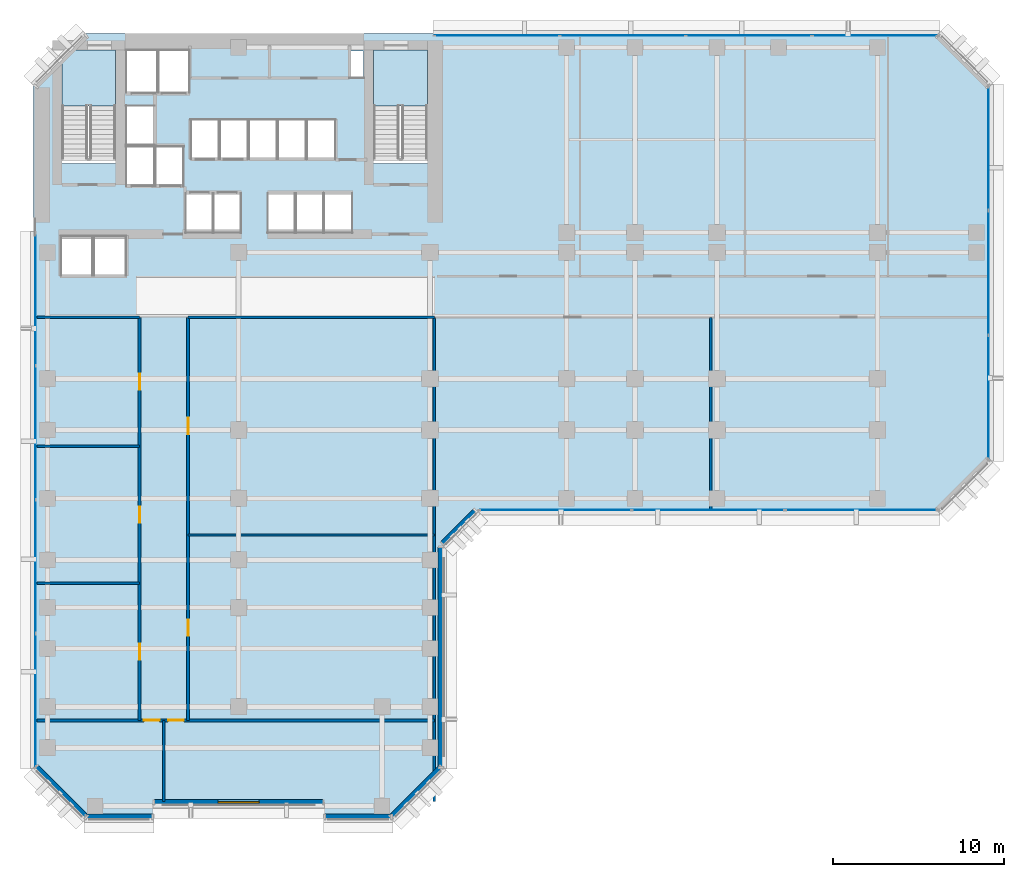
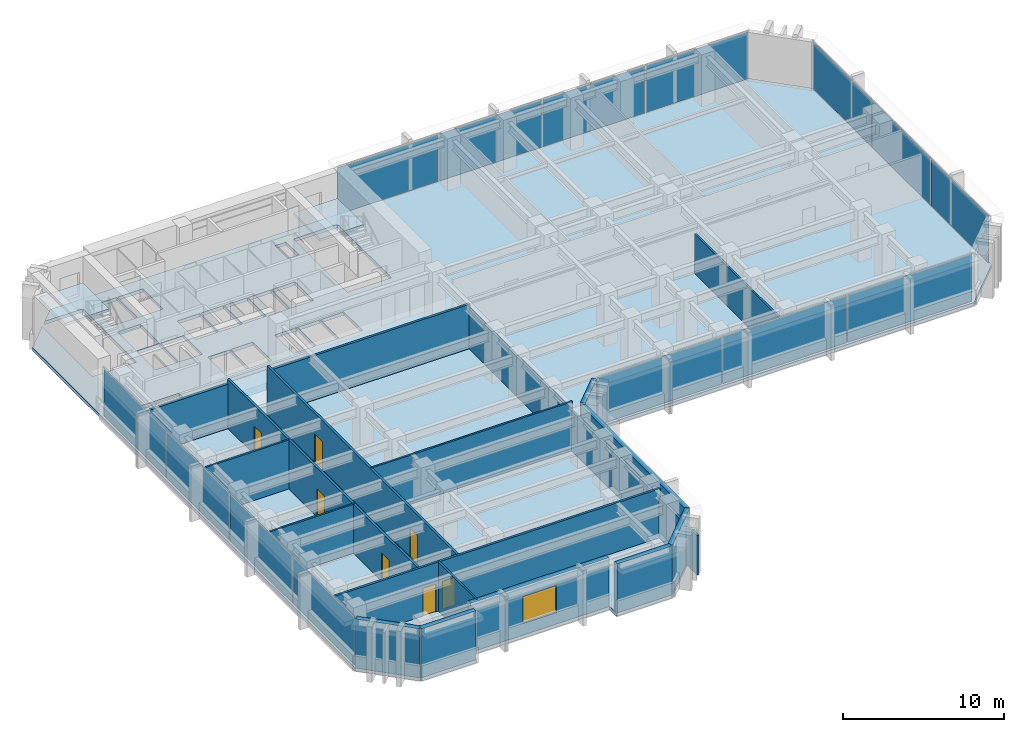
# One storey, part 6 of 13: 18 walls, 14 plates, 7 doors, 3 slabs, 1 window, 8 openings, 6 elements without a shape of their own.
"""IFC4 building model written with IfcOpenShell, lengths in metres."""

import ifcopenshell
import ifcopenshell.guid

model = None  # the IFC model being written
_history = None  # IfcOwnerHistory: only IFC2X3 demands one
_inside = {}  # id of a spatial element -> (the spatial element, [elements in it])
_under = {}  # id of a project, library or spatial element -> (it, [spatial elements below it])
_declared = {}  # id of a project -> (the project, [libraries it declares])
_typed = {}  # id of a type object -> (the type object, [elements of that type])
_made_of = {}  # id of a material, layer set ... -> (it, [elements and type objects made of it])


def new_model(schema):
    """Start an empty IFC model of exactly this schema.

    Asked for "IFC4X3", IfcOpenShell would pick the latest addendum, in which some entities
    have other attributes; the version numbers below select the first issue.
    IFC2X3 requires an IfcOwnerHistory on every rooted entity: one is made here for all.
    """
    global model, _history
    if schema == "IFC4X3":
        model = ifcopenshell.file(schema_version=(4, 3, 0, 0))
    else:
        model = ifcopenshell.file(schema=schema)
    _inside.clear()
    _under.clear()
    _declared.clear()
    _typed.clear()
    _made_of.clear()
    _history = None
    if model.schema == "IFC2X3":
        org = make("IfcOrganization", Name="unknown")
        user = make(
            "IfcPersonAndOrganization",
            ThePerson=make("IfcPerson", FamilyName="unknown"),
            TheOrganization=org,
        )
        app = make(
            "IfcApplication",
            ApplicationDeveloper=org,
            Version="unknown",
            ApplicationFullName="unknown",
            ApplicationIdentifier="unknown",
        )
        _history = make(
            "IfcOwnerHistory",
            OwningUser=user,
            OwningApplication=app,
            ChangeAction="ADDED",
            CreationDate=0,
        )
    return model


def make(cls, **values):
    """One entity of the class cls with the attributes given. An attribute that is None is left unset."""
    return model.create_entity(
        cls, **{name: value for name, value in values.items() if value is not None}
    )


def rooted(cls, **values):
    """An entity with a GlobalId (a new one), such as an element, a storey or a relation."""
    return make(cls, GlobalId=ifcopenshell.guid.new(), OwnerHistory=_history, **values)


def si_unit(unit_type, name, prefix=None):
    """IfcSIUnit, for example si_unit("LENGTHUNIT", "METRE", prefix="MILLI")."""
    return make("IfcSIUnit", UnitType=unit_type, Prefix=prefix, Name=name)


def assignment(units):
    """IfcUnitAssignment: the units of a project."""
    return None if units is None else make("IfcUnitAssignment", Units=units)


def point(xyz):
    """IfcCartesianPoint."""
    return None if xyz is None else make("IfcCartesianPoint", Coordinates=xyz)


def direction(xyz):
    """IfcDirection."""
    return None if xyz is None else make("IfcDirection", DirectionRatios=xyz)


def frame(location, z_axis=None, x_axis=None):
    """IfcAxis2Placement3D, a coordinate frame: its origin and axes. An axis left out is left unset."""
    return make(
        "IfcAxis2Placement3D",
        Location=point(location),
        Axis=direction(z_axis),
        RefDirection=direction(x_axis),
    )


def frame_2d(location, x_axis=None):
    """IfcAxis2Placement2D, a coordinate frame in the plane: its origin and x axis."""
    return make(
        "IfcAxis2Placement2D", Location=point(location), RefDirection=direction(x_axis)
    )


def origin():
    """The frame at (0, 0, 0) with its axes left unset."""
    return frame((0.0, 0.0, 0.0))


def origin_2d():
    """The frame at (0, 0) in the plane with its x axis left unset."""
    return frame_2d((0.0, 0.0))


def place(relative_to, where):
    """IfcLocalPlacement: puts the frame where relative to a parent placement (None: the world)."""
    return make(
        "IfcLocalPlacement", PlacementRelTo=relative_to, RelativePlacement=where
    )


def context(
    kind, dimensions, precision=None, world=None, true_north=None, identifier=None
):
    """IfcGeometricRepresentationContext, for example the 3D "Model" context."""
    return make(
        "IfcGeometricRepresentationContext",
        ContextIdentifier=identifier,
        ContextType=kind,
        CoordinateSpaceDimension=dimensions,
        Precision=precision,
        WorldCoordinateSystem=world,
        TrueNorth=true_north,
    )


def subcontext(parent, identifier, kind, view, scale=None):
    """IfcGeometricRepresentationSubContext, for example "Body" below "Model"."""
    return make(
        "IfcGeometricRepresentationSubContext",
        ContextIdentifier=identifier,
        ContextType=kind,
        ParentContext=parent,
        TargetScale=scale,
        TargetView=view,
    )


def project(units=None, contexts=None):
    """IfcProject with its units and contexts."""
    return rooted(
        "IfcProject",
        Name="project",
        RepresentationContexts=contexts,
        UnitsInContext=assignment(units),
    )


def spatial(cls, under=None, at=None, **own):
    """A site, building, storey or space (cls), placed at a placement, below another one or the project."""
    s = rooted(cls, ObjectPlacement=at, **own)
    if under is not None:
        _under.setdefault(under.id(), (under, []))[1].append(s)
    return s


def polyline(points):
    """IfcPolyline through the points."""
    return make("IfcPolyline", Points=[point(p) for p in points])


def profile(cls, at=None, kind="AREA", **sizes):
    """A parametric profile (cls). Its sizes go by their IFC names, for example OverallWidth=200.0."""
    return make(cls, ProfileType=kind, Position=at, **sizes)


def rectangle(**sizes):
    """IfcRectangleProfileDef."""
    return profile("IfcRectangleProfileDef", **sizes)


def outline(outer, holes=None, kind="AREA"):
    """IfcArbitraryClosedProfileDef: a profile drawn as a closed curve; with holes, ...WithVoids."""
    if holes is None:
        return make("IfcArbitraryClosedProfileDef", ProfileType=kind, OuterCurve=outer)
    return make(
        "IfcArbitraryProfileDefWithVoids",
        ProfileType=kind,
        OuterCurve=outer,
        InnerCurves=holes,
    )


def extrude(swept, where, along, depth):
    """IfcExtrudedAreaSolid: the profile swept, set in the frame where, extruded along a direction by depth."""
    return make(
        "IfcExtrudedAreaSolid",
        SweptArea=swept,
        Position=where,
        ExtrudedDirection=direction(along),
        Depth=depth,
    )


def shape(context_of_items, identifier, shape_type, items):
    """IfcShapeRepresentation: the items that make up one representation, for example the "Body"."""
    return make(
        "IfcShapeRepresentation",
        ContextOfItems=context_of_items,
        RepresentationIdentifier=identifier,
        RepresentationType=shape_type,
        Items=items,
    )


def material(Name=None, Category=None):
    """IfcMaterial."""
    return make("IfcMaterial", Name=Name, Category=Category)


def layer(
    of_material, thickness, ventilated=None, Name=None, Category=None, Priority=None
):
    """IfcMaterialLayer: one layer of a wall or slab, of a material (None: an air gap)."""
    return make(
        "IfcMaterialLayer",
        Material=of_material,
        LayerThickness=thickness,
        IsVentilated=ventilated,
        Name=Name,
        Category=Category,
        Priority=Priority,
    )


def layer_set(layers, Name=None):
    """IfcMaterialLayerSet."""
    return make("IfcMaterialLayerSet", MaterialLayers=layers, LayerSetName=Name)


def made_of(thing, what):
    """Note that an element or type object is made of a material, layer set ...; save() writes the relation."""
    if what is not None:
        _made_of.setdefault(what.id(), (what, []))[1].append(thing)
    return thing


def type_object(cls, material=None, **own):
    """A type object (cls), such as IfcWallType, which elements share."""
    return made_of(rooted(cls, **own), material)


def element(
    cls,
    number,
    at=None,
    inside=None,
    cuts=None,
    type_object=None,
    material=None,
    context=None,
    identifier="Body",
    shape_type=None,
    held_by="IfcProductDefinitionShape",
    body=None,
    shapes=None,
    **own,
):
    """One element of the class cls, such as IfcWall. Its Tag is "e" and its number.

    at: its placement. inside: the storey or other place that contains it. cuts: it is an
    opening in that element (IfcRelVoidsElement). A single representation is given by context,
    identifier, shape_type and body (its items); several are given by shapes. held_by: the class
    of the entity that holds the representations. save() writes the other relations.
    """
    e = rooted(cls, Tag="e%d" % number, ObjectPlacement=at, **own)
    if body is not None:
        shapes = [shape(context, identifier, shape_type, body)]
    if shapes is not None:
        e.Representation = make(held_by, Representations=shapes)
    if inside is not None:
        _inside.setdefault(inside.id(), (inside, []))[1].append(e)
    if cuts is not None:
        rooted(
            "IfcRelVoidsElement", RelatingBuildingElement=cuts, RelatedOpeningElement=e
        )
    if type_object is not None:
        _typed.setdefault(type_object.id(), (type_object, []))[1].append(e)
    return made_of(e, material)


def fill(opening, filler):
    """IfcRelFillsElement: the door or window that sits in an opening."""
    return rooted(
        "IfcRelFillsElement",
        RelatingOpeningElement=opening,
        RelatedBuildingElement=filler,
    )


def aggregate(whole, parts):
    """IfcRelAggregates: a whole, such as a stair, and the parts it consists of."""
    return rooted("IfcRelAggregates", RelatingObject=whole, RelatedObjects=parts)


def save(model, path):
    """Write the relations noted so far, then the file.

    IfcRelAggregates (storeys below a building ...), IfcRelContainedInSpatialStructure (elements
    in a storey), IfcRelDefinesByType, IfcRelAssociatesMaterial and IfcRelDeclares: one each for
    every whole, place, type object, material and project.
    """
    for whole, parts in _under.values():
        aggregate(whole, parts)
    for where, things in _inside.values():
        rooted(
            "IfcRelContainedInSpatialStructure",
            RelatedElements=things,
            RelatingStructure=where,
        )
    for kind, things in _typed.values():
        rooted("IfcRelDefinesByType", RelatedObjects=things, RelatingType=kind)
    for what, things in _made_of.values():
        rooted("IfcRelAssociatesMaterial", RelatedObjects=things, RelatingMaterial=what)
    for by, libraries in _declared.values():
        rooted("IfcRelDeclares", RelatingContext=by, RelatedDefinitions=libraries)
    model.write(path)


model = new_model("IFC4")

# Units and contexts
model_context = context("Model", 3, precision=1e-05, world=origin(), true_north=direction((0.0, 1.0)))
body_context = subcontext(model_context, "Body", "Model", "MODEL_VIEW")
ifc_project = project(units=[si_unit("LENGTHUNIT", "METRE"), si_unit("AREAUNIT", "SQUARE_METRE"), si_unit("VOLUMEUNIT", "CUBIC_METRE"), si_unit("PLANEANGLEUNIT", "RADIAN"), si_unit("MASSUNIT", "GRAM", prefix="KILO")], contexts=[model_context])

# Site, building, storey
site_placement = place(None, origin())
site = spatial("IfcSite", under=ifc_project, at=site_placement, CompositionType="ELEMENT")
building_placement = place(site_placement, origin())
building = spatial("IfcBuilding", under=site, at=building_placement, Name="Kefirva Bronze Tower", CompositionType="ELEMENT")
storey_placement = place(building_placement, frame((0.0, 0.0, 38.280029296875)))
storey = spatial("IfcBuildingStorey", under=building, at=storey_placement, Name="L08", CompositionType="ELEMENT", Elevation=38.280029296875)

# Stair, slab
ifc_material_1 = material(Name="Concrete C40/50", Category="concrete")
stair_type = type_object("IfcStairType", Name="RC Dogleg Protected Stair 24R", PredefinedType="HALF_TURN_STAIR", material=ifc_material_1)
stair_1_placement = place(storey_placement, origin())
stair_1 = element("IfcStair", 1, at=stair_1_placement, inside=storey, type_object=stair_type, Name="L08 Protected Exit Stair 1", PredefinedType="HALF_TURN_STAIR")
ifc_layer_1 = layer(ifc_material_1, 0.199951171875, Name="Concrete C40/50")
ifc_layer_set_1 = layer_set([ifc_layer_1], Name="Concrete C40/50")
slab_type_1 = type_object("IfcSlabType", Name="RC Stair Landing Slab 200mm", PredefinedType="LANDING", material=ifc_layer_set_1)
slab_1_placement = place(storey_placement, frame((0.0, 0.0, 1.780029296875)))
slab_1 = element("IfcSlab", 2, at=slab_1_placement, type_object=slab_type_1, Name="ST-1 landing 1", PredefinedType="LANDING", context=body_context, shape_type="SweptSolid", body=[
    extrude(outline(polyline([(4.800048828125, 41.780029296875), (4.800048828125, 45.050048828125), (1.64990234375, 45.050048828125), (1.64990234375, 41.780029296875), (4.800048828125, 41.780029296875)])), origin(), (0.0, 0.0, 1.0), 0.199951171875),
])
aggregate(stair_1, [slab_1])

stair_2_placement = place(storey_placement, origin())
stair_2 = element("IfcStair", 3, at=stair_2_placement, inside=storey, type_object=stair_type, Name="L08 Protected Exit Stair 2", PredefinedType="HALF_TURN_STAIR")
slab_2_placement = place(storey_placement, frame((0.0, 0.0, 1.780029296875)))
slab_2 = element("IfcSlab", 4, at=slab_2_placement, type_object=slab_type_1, Name="ST-2 landing 1", PredefinedType="LANDING", context=body_context, shape_type="SweptSolid", body=[
    extrude(outline(polyline([(23.050048828125, 41.780029296875), (23.050048828125, 45.050048828125), (19.89990234375, 45.050048828125), (19.89990234375, 41.780029296875), (23.050048828125, 41.780029296875)])), origin(), (0.0, 0.0, 1.0), 0.199951171875),
])
aggregate(stair_2, [slab_2])

# Slab
ifc_layer_2 = layer(ifc_material_1, 0.25, Name="Concrete C40/50")
ifc_layer_set_2 = layer_set([ifc_layer_2], Name="Concrete C40/50")
slab_type_2 = type_object("IfcSlabType", Name="RC Tower Floor Slab 250mm", PredefinedType="FLOOR", material=ifc_layer_set_2)
slab_3_placement = place(storey_placement, frame((0.0, 0.0, -0.25)))
element("IfcSlab", 5, at=slab_3_placement, inside=storey, type_object=slab_type_2, Name="L08 Structural Floor Slab", PredefinedType="FLOOR", context=body_context, shape_type="SweptSolid", body=[
    extrude(outline(polyline([(0.0, 3.0), (0.0, 43.0), (1.64990234375, 44.64990234375), (1.64990234375, 38.39990234375), (4.800048828125, 38.39990234375), (4.800048828125, 45.050048828125), (2.050048828125, 45.050048828125), (3.0, 46.0), (53.0, 46.0), (56.0, 43.0), (56.0, 21.0), (53.0, 18.0), (26.0, 18.0), (24.0, 16.0), (24.0, 3.0), (21.0, 0.0), (17.0, 0.0), (17.0, 0.85009765625), (7.0, 0.85009765625), (7.0, 0.0), (3.0, 0.0), (0.0, 3.0)]), holes=[polyline([(19.89990234375, 38.39990234375), (23.050048828125, 38.39990234375), (23.050048828125, 45.050048828125), (19.89990234375, 45.050048828125), (19.89990234375, 38.39990234375)]), polyline([(18.52001953125, 43.419921875), (19.320068359375, 43.419921875), (19.320068359375, 45.0), (18.52001953125, 45.0), (18.52001953125, 43.419921875)]), polyline([(17.0, 34.35009765625), (18.64990234375, 34.35009765625), (18.64990234375, 36.64990234375), (17.0, 36.64990234375), (17.0, 34.35009765625)]), polyline([(17.64990234375, 38.679931640625), (17.64990234375, 40.97998046875), (16.0, 40.97998046875), (16.0, 38.679931640625), (17.64990234375, 38.679931640625)]), polyline([(16.949951171875, 34.35009765625), (16.949951171875, 36.64990234375), (15.35009765625, 36.64990234375), (15.35009765625, 34.35009765625), (16.949951171875, 34.35009765625)]), polyline([(15.929931640625, 38.679931640625), (15.929931640625, 40.97998046875), (14.300048828125, 40.97998046875), (14.300048828125, 38.679931640625), (15.929931640625, 38.679931640625)]), polyline([(15.300048828125, 34.35009765625), (15.300048828125, 36.64990234375), (13.699951171875, 36.64990234375), (13.699951171875, 34.35009765625), (15.300048828125, 34.35009765625)]), polyline([(14.22998046875, 38.679931640625), (14.22998046875, 40.97998046875), (12.60009765625, 40.97998046875), (12.60009765625, 38.679931640625), (14.22998046875, 38.679931640625)]), polyline([(10.89990234375, 38.679931640625), (12.530029296875, 38.679931640625), (12.530029296875, 40.97998046875), (10.89990234375, 40.97998046875), (10.89990234375, 38.679931640625)]), polyline([(12.139892578125, 34.35009765625), (12.139892578125, 36.64990234375), (10.5400390625, 36.64990234375), (10.5400390625, 34.35009765625), (12.139892578125, 34.35009765625)]), polyline([(10.830078125, 38.679931640625), (10.830078125, 40.97998046875), (9.199951171875, 40.97998046875), (9.199951171875, 38.679931640625), (10.830078125, 38.679931640625)]), polyline([(10.5, 34.35009765625), (10.5, 36.64990234375), (8.89990234375, 36.64990234375), (8.89990234375, 34.35009765625), (10.5, 34.35009765625)]), polyline([(7.300048828125, 42.550048828125), (9.1201171875, 42.550048828125), (9.1201171875, 45.050048828125), (7.300048828125, 45.050048828125), (7.300048828125, 42.550048828125)]), polyline([(7.139892578125, 37.10009765625), (8.780029296875, 37.10009765625), (8.780029296875, 39.39990234375), (7.139892578125, 39.39990234375), (7.139892578125, 37.10009765625)]), polyline([(5.419921875, 42.550048828125), (7.239990234375, 42.550048828125), (7.239990234375, 45.050048828125), (5.419921875, 45.050048828125), (5.419921875, 42.550048828125)]), polyline([(7.06005859375, 39.47998046875), (7.06005859375, 41.780029296875), (5.419921875, 41.780029296875), (5.419921875, 39.47998046875), (7.06005859375, 39.47998046875)]), polyline([(5.419921875, 37.10009765625), (7.06005859375, 37.10009765625), (7.06005859375, 39.39990234375), (5.419921875, 39.39990234375), (5.419921875, 37.10009765625)]), polyline([(5.39990234375, 31.85009765625), (5.39990234375, 34.14990234375), (3.550048828125, 34.14990234375), (3.550048828125, 31.85009765625), (5.39990234375, 31.85009765625)]), polyline([(3.449951171875, 31.85009765625), (3.449951171875, 34.14990234375), (1.60009765625, 34.14990234375), (1.60009765625, 31.85009765625), (3.449951171875, 31.85009765625)])]), origin(), (0.0, 0.0, 1.0), 0.25),
])

# Curtain wall, plates
ifc_material_2 = material(Name="Bronze anodised aluminium", Category="aluminium")
ifc_layer_3 = layer(ifc_material_2, 0.199951171875, Name="Bronze anodised aluminium")
ifc_layer_set_3 = layer_set([ifc_layer_3], Name="Bronze anodised aluminium")
curtain_wall_type = type_object("IfcCurtainWallType", Name="Unitised Bronze Ribbon Curtain Wall Zone 1", PredefinedType="USERDEFINED", material=ifc_layer_set_3)
curtain_wall_1_placement = place(storey_placement, origin())
curtain_wall_1 = element("IfcCurtainWall", 6, at=curtain_wall_1_placement, inside=storey, type_object=curtain_wall_type, Name="L08 Curtain Wall 1", ObjectType="UNITISED CURTAIN WALL", PredefinedType="USERDEFINED")
ifc_material_3 = material(Name="Laminated low-E double glazing", Category="glass")
ifc_layer_4 = layer(ifc_material_3, 0.031982421875, Name="Laminated low-E double glazing")
ifc_layer_set_4 = layer_set([ifc_layer_4], Name="Laminated low-E double glazing")
plate_type = type_object("IfcPlateType", Name="Solar-Control Low-E Vision Panel 32mm", PredefinedType="CURTAIN_PANEL", material=ifc_layer_set_4)
plate_1_placement = place(storey_placement, frame((30.555419921875, 18.1201171875, 0.074951171875), z_axis=(0.0, 0.0, 1.0), x_axis=(1.0, 0.0, 0.0)))
plate_1 = element("IfcPlate", 7, at=plate_1_placement, type_object=plate_type, Name="CW-01 panel 1.1", PredefinedType="CURTAIN_PANEL", context=body_context, shape_type="SweptSolid", body=[
    extrude(rectangle(XDim=8.850830078125, YDim=0.031982421875, at=origin_2d()), origin(), (0.0, 0.0, 1.0), 3.56005859375),
])
plate_2_placement = place(storey_placement, frame((39.5, 18.1201171875, 0.074951171875), z_axis=(0.0, 0.0, 1.0), x_axis=(1.0, 0.0, 0.0)))
plate_2 = element("IfcPlate", 8, at=plate_2_placement, type_object=plate_type, Name="CW-01 panel 2.1", PredefinedType="CURTAIN_PANEL", context=body_context, shape_type="SweptSolid", body=[
    extrude(rectangle(XDim=8.888427734375, YDim=0.031982421875, at=origin_2d()), origin(), (0.0, 0.0, 1.0), 3.56005859375),
])
plate_3_placement = place(storey_placement, frame((48.444580078125, 18.1201171875, 0.074951171875), z_axis=(0.0, 0.0, 1.0), x_axis=(1.0, 0.0, 0.0)))
plate_3 = element("IfcPlate", 9, at=plate_3_placement, type_object=plate_type, Name="CW-01 panel 3.1", PredefinedType="CURTAIN_PANEL", context=body_context, shape_type="SweptSolid", body=[
    extrude(rectangle(XDim=8.850830078125, YDim=0.031982421875, at=origin_2d()), origin(), (0.0, 0.0, 1.0), 3.56005859375),
])
aggregate(curtain_wall_1, [plate_1, plate_2, plate_3])

curtain_wall_2_placement = place(storey_placement, origin())
curtain_wall_2 = element("IfcCurtainWall", 10, at=curtain_wall_2_placement, inside=storey, type_object=curtain_wall_type, Name="L08 Curtain Wall 2", ObjectType="UNITISED CURTAIN WALL", PredefinedType="USERDEFINED")
plate_4_placement = place(storey_placement, frame((55.8798828125, 24.72216796875, 0.074951171875), z_axis=(0.0, 0.0, 1.0), x_axis=(0.0, 1.0, 0.0)))
plate_4 = element("IfcPlate", 11, at=plate_4_placement, type_object=plate_type, Name="CW-01 panel 1.1", PredefinedType="CURTAIN_PANEL", context=body_context, shape_type="SweptSolid", body=[
    extrude(rectangle(XDim=7.18408203125, YDim=0.031982421875, at=origin_2d()), origin(), (0.0, 0.0, 1.0), 3.56005859375),
])
plate_5_placement = place(storey_placement, frame((55.8798828125, 32.0, 0.074951171875), z_axis=(0.0, 0.0, 1.0), x_axis=(0.0, 1.0, 0.0)))
plate_5 = element("IfcPlate", 12, at=plate_5_placement, type_object=plate_type, Name="CW-01 panel 2.1", PredefinedType="CURTAIN_PANEL", context=body_context, shape_type="SweptSolid", body=[
    extrude(rectangle(XDim=7.2216796875, YDim=0.031982421875, at=origin_2d()), origin(), (0.0, 0.0, 1.0), 3.56005859375),
])
plate_6_placement = place(storey_placement, frame((55.8798828125, 39.27783203125, 0.074951171875), z_axis=(0.0, 0.0, 1.0), x_axis=(0.0, 1.0, 0.0)))
plate_6 = element("IfcPlate", 13, at=plate_6_placement, type_object=plate_type, Name="CW-01 panel 3.1", PredefinedType="CURTAIN_PANEL", context=body_context, shape_type="SweptSolid", body=[
    extrude(rectangle(XDim=7.18408203125, YDim=0.031982421875, at=origin_2d()), origin(), (0.0, 0.0, 1.0), 3.56005859375),
])
aggregate(curtain_wall_2, [plate_4, plate_5, plate_6])

curtain_wall_3_placement = place(storey_placement, origin())
curtain_wall_3 = element("IfcCurtainWall", 14, at=curtain_wall_3_placement, inside=storey, type_object=curtain_wall_type, Name="L08 Curtain Wall 3", ObjectType="UNITISED CURTAIN WALL", PredefinedType="USERDEFINED")
plate_7_placement = place(storey_placement, frame((49.233642578125, 45.8798828125, 0.074951171875), z_axis=(0.0, 0.0, 1.0), x_axis=(-1.0, 0.0, 0.0)))
plate_7 = element("IfcPlate", 15, at=plate_7_placement, type_object=plate_type, Name="CW-01 panel 1.1", PredefinedType="CURTAIN_PANEL", context=body_context, shape_type="SweptSolid", body=[
    extrude(rectangle(XDim=7.2724609375, YDim=0.031982421875, at=origin_2d()), origin(), (0.0, 0.0, 1.0), 3.56005859375),
])
plate_8_placement = place(storey_placement, frame((41.867431640625, 45.8798828125, 0.074951171875), z_axis=(0.0, 0.0, 1.0), x_axis=(-1.0, 0.0, 0.0)))
plate_8 = element("IfcPlate", 16, at=plate_8_placement, type_object=plate_type, Name="CW-01 panel 2.1", PredefinedType="CURTAIN_PANEL", context=body_context, shape_type="SweptSolid", body=[
    extrude(rectangle(XDim=7.31005859375, YDim=0.031982421875, at=origin_2d()), origin(), (0.0, 0.0, 1.0), 3.56005859375),
])
plate_9_placement = place(storey_placement, frame((34.482421875, 45.8798828125, 0.074951171875), z_axis=(0.0, 0.0, 1.0), x_axis=(-1.0, 0.0, 0.0)))
plate_9 = element("IfcPlate", 17, at=plate_9_placement, type_object=plate_type, Name="CW-01 panel 3.1", PredefinedType="CURTAIN_PANEL", context=body_context, shape_type="SweptSolid", body=[
    extrude(rectangle(XDim=7.31005859375, YDim=0.031982421875, at=origin_2d()), origin(), (0.0, 0.0, 1.0), 3.56005859375),
])
plate_10_placement = place(storey_placement, frame((27.1162109375, 45.8798828125, 0.074951171875), z_axis=(0.0, 0.0, 1.0), x_axis=(-1.0, 0.0, 0.0)))
plate_10 = element("IfcPlate", 18, at=plate_10_placement, type_object=plate_type, Name="CW-01 panel 4.1", PredefinedType="CURTAIN_PANEL", context=body_context, shape_type="SweptSolid", body=[
    extrude(rectangle(XDim=7.2724609375, YDim=0.031982421875, at=origin_2d()), origin(), (0.0, 0.0, 1.0), 3.56005859375),
])
aggregate(curtain_wall_3, [plate_7, plate_8, plate_9, plate_10])

curtain_wall_4_placement = place(storey_placement, origin())
curtain_wall_4 = element("IfcCurtainWall", 19, at=curtain_wall_4_placement, inside=storey, type_object=curtain_wall_type, Name="L08 Curtain Wall 4", ObjectType="UNITISED CURTAIN WALL", PredefinedType="USERDEFINED")
plate_11_placement = place(storey_placement, frame((0.1201171875, 30.458740234375, 0.074951171875), z_axis=(0.0, 0.0, 1.0), x_axis=(0.0, -1.0, 0.0)))
plate_11 = element("IfcPlate", 20, at=plate_11_placement, type_object=plate_type, Name="CW-01 panel 1.1", PredefinedType="CURTAIN_PANEL", context=body_context, shape_type="SweptSolid", body=[
    extrude(rectangle(XDim=7.722412109375, YDim=0.031982421875, at=origin_2d()), origin(), (0.0, 0.0, 1.0), 3.56005859375),
])
plate_12_placement = place(storey_placement, frame((0.1201171875, 22.642578125, 0.074951171875), z_axis=(0.0, 0.0, 1.0), x_axis=(0.0, -1.0, 0.0)))
plate_12 = element("IfcPlate", 21, at=plate_12_placement, type_object=plate_type, Name="CW-01 panel 2.1", PredefinedType="CURTAIN_PANEL", context=body_context, shape_type="SweptSolid", body=[
    extrude(rectangle(XDim=7.760009765625, YDim=0.031982421875, at=origin_2d()), origin(), (0.0, 0.0, 1.0), 3.56005859375),
])
plate_13_placement = place(storey_placement, frame((0.1201171875, 14.8076171875, 0.074951171875), z_axis=(0.0, 0.0, 1.0), x_axis=(0.0, -1.0, 0.0)))
plate_13 = element("IfcPlate", 22, at=plate_13_placement, type_object=plate_type, Name="CW-01 panel 3.1", PredefinedType="CURTAIN_PANEL", context=body_context, shape_type="SweptSolid", body=[
    extrude(rectangle(XDim=7.760009765625, YDim=0.031982421875, at=origin_2d()), origin(), (0.0, 0.0, 1.0), 3.56005859375),
])
plate_14_placement = place(storey_placement, frame((0.1201171875, 6.9912109375, 0.074951171875), z_axis=(0.0, 0.0, 1.0), x_axis=(0.0, -1.0, 0.0)))
plate_14 = element("IfcPlate", 23, at=plate_14_placement, type_object=plate_type, Name="CW-01 panel 4.1", PredefinedType="CURTAIN_PANEL", context=body_context, shape_type="SweptSolid", body=[
    extrude(rectangle(XDim=7.722412109375, YDim=0.031982421875, at=origin_2d()), origin(), (0.0, 0.0, 1.0), 3.56005859375),
])
aggregate(curtain_wall_4, [plate_11, plate_12, plate_13, plate_14])

# Walls
ifc_material_4 = material(Name="Gypsum acoustic partition")
ifc_layer_5 = layer(ifc_material_4, 0.1298828125, Name="Gypsum acoustic partition")
ifc_layer_set_5 = layer_set([ifc_layer_5], Name="Gypsum acoustic partition")
wall_type_1 = type_object("IfcWallType", Name="Acoustic Office Partition 130mm", PredefinedType="PARTITIONING", material=ifc_layer_set_5)
wall_1_placement = place(storey_placement, frame((7.6201171875, 1.0400390625, 0.0), z_axis=(0.0, 0.0, 1.0), x_axis=(0.0, 1.0, 0.0)))
element("IfcWall", 24, at=wall_1_placement, inside=storey, type_object=wall_type_1, Name="L08 Partition W-L08-CAPDV", PredefinedType="PARTITIONING", context=body_context, shape_type="SweptSolid", body=[
    extrude(rectangle(XDim=4.760009765625, YDim=0.1298828125, at=frame_2d((2.3798828125, 0.0))), origin(), (0.0, 0.0, 1.0), 3.7099609375),
])
for number, where, z_axis, x_axis, name in (
    (25, (0.18994140625, 13.823974609375, 0.0), (0.0, 0.0, 1.0), (1.0, 0.0, 0.0), "L08 Partition W-L08-SWD1"),
    (26, (0.18994140625, 21.847900390625, 0.0), (0.0, 0.0, 1.0), (1.0, 0.0, 0.0), "L08 Partition W-L08-SWD2"),
):
    element("IfcWall", number, at=place(storey_placement, frame(where, z_axis=z_axis, x_axis=x_axis)), inside=storey, type_object=wall_type_1, Name=name, PredefinedType="PARTITIONING", context=body_context, shape_type="SweptSolid", body=[
        extrude(rectangle(XDim=6.010009765625, YDim=0.1298828125, at=frame_2d((3.0048828125, 0.0))), origin(), (0.0, 0.0, 1.0), 3.7099609375),
    ])
wall_2_placement = place(storey_placement, frame((9.0400390625, 16.656005859375, 0.0), z_axis=(0.0, 0.0, 1.0), x_axis=(1.0, 0.0, 0.0)))
element("IfcWall", 27, at=wall_2_placement, inside=storey, type_object=wall_type_1, Name="L08 Partition W-L08-SED1", PredefinedType="PARTITIONING", context=body_context, shape_type="SweptSolid", body=[
    extrude(rectangle(XDim=14.409912109375, YDim=0.1298828125, at=frame_2d((7.205078125, 0.0))), origin(), (0.0, 0.0, 1.0), 3.7099609375),
])
wall_3_placement = place(storey_placement, frame((39.6298828125, 18.18994140625, 0.0), z_axis=(0.0, 0.0, 1.0), x_axis=(0.0, 1.0, 0.0)))
element("IfcWall", 28, at=wall_3_placement, inside=storey, type_object=wall_type_1, Name="L08 Partition W-L08-ESD1", PredefinedType="PARTITIONING", context=body_context, shape_type="SweptSolid", body=[
    extrude(rectangle(XDim=11.2099609375, YDim=0.1298828125, at=frame_2d((5.60498046875, 0.0))), origin(), (0.0, 0.0, 1.0), 2.994873046875),
])
ifc_material_5 = material(Name="Precast concrete C40/50", Category="concrete")
ifc_layer_6 = layer(ifc_material_5, 0.320068359375, Name="Precast concrete C40/50")
ifc_layer_set_6 = layer_set([ifc_layer_6], Name="Precast concrete C40/50")
wall_type_2 = type_object("IfcWallType", Name="Precast Insulated Exterior Wall 320mm", PredefinedType="SOLIDWALL", material=ifc_layer_set_6)
wall_4_placement = place(storey_placement, frame((3.054931640625, 0.159912109375, 0.0), z_axis=(0.0, 0.0, 1.0), x_axis=(1.0, 0.0, 0.0)))
element("IfcWall", 29, at=wall_4_placement, inside=storey, type_object=wall_type_2, Name="L08 Exterior Facade Wall 1", PredefinedType="SOLIDWALL", context=body_context, shape_type="SweptSolid", body=[
    extrude(rectangle(XDim=3.89013671875, YDim=0.320068359375, at=frame_2d((1.945068359375, 0.0))), origin(), (0.0, 0.0, 1.0), 3.7099609375),
])

# Wall, opening, window
wall_5_placement = place(storey_placement, frame((7.054931640625, 1.010009765625, 0.0), z_axis=(0.0, 0.0, 1.0), x_axis=(1.0, 0.0, 0.0)))
wall_5 = element("IfcWall", 30, at=wall_5_placement, inside=storey, type_object=wall_type_2, Name="L08 Exterior Facade Wall 2", PredefinedType="SOLIDWALL", context=body_context, shape_type="SweptSolid", body=[
    extrude(rectangle(XDim=9.89013671875, YDim=0.320068359375, at=frame_2d((4.945068359375, 0.0))), origin(), (0.0, 0.0, 1.0), 3.7099609375),
])
opening_1_placement = place(wall_5_placement, frame((3.7451171875, 0.0, 0.85009765625)))
opening_1 = element("IfcOpeningElement", 31, at=opening_1_placement, cuts=wall_5, Name="Opening WN-01", PredefinedType="OPENING", context=body_context, shape_type="SweptSolid", body=[
    extrude(rectangle(XDim=2.39990234375, YDim=2.050048828125, at=frame_2d((1.199951171875, 1.02490234375))), frame((0.0, 0.169921875, 0.0), z_axis=(0.0, -1.0, 0.0), x_axis=(1.0, 0.0, 0.0)), (0.0, 0.0, 1.0), 0.340087890625),
])
window_type = type_object("IfcWindowType", Name="Streamline Ribbon Window 2400x2050", PartitioningType="SINGLE_PANEL", PredefinedType="WINDOW", material=ifc_material_3)
window_placement = place(opening_1_placement, origin())
window = element("IfcWindow", 32, at=window_placement, inside=storey, type_object=window_type, Name="L08 Ribbon Window 2", OverallHeight=2.050048828125, OverallWidth=2.39990234375, PartitioningType="SINGLE_PANEL", PredefinedType="WINDOW", context=body_context, shape_type="SweptSolid", body=[
    extrude(rectangle(XDim=2.39990234375, YDim=2.050048828125, at=frame_2d((1.199951171875, 1.02490234375))), frame((0.0, 0.030029296875, 0.0), z_axis=(0.0, -1.0, 0.0), x_axis=(1.0, 0.0, 0.0)), (0.0, 0.0, 1.0), 0.06005859375),
])
fill(opening_1, window)

# Walls
wall_6_placement = place(storey_placement, frame((17.054931640625, 0.159912109375, 0.0), z_axis=(0.0, 0.0, 1.0), x_axis=(1.0, 0.0, 0.0)))
element("IfcWall", 33, at=wall_6_placement, inside=storey, type_object=wall_type_2, Name="L08 Exterior Facade Wall 3", PredefinedType="SOLIDWALL", context=body_context, shape_type="SweptSolid", body=[
    extrude(rectangle(XDim=3.89013671875, YDim=0.320068359375, at=frame_2d((1.945068359375, 0.0))), origin(), (0.0, 0.0, 1.0), 3.7099609375),
])
wall_7_placement = place(storey_placement, frame((20.92578125, 0.152099609375, 0.0), z_axis=(0.0, 0.0, 1.0), x_axis=(0.707106781187, 0.707106781187, 0.0)))
element("IfcWall", 34, at=wall_7_placement, inside=storey, type_object=wall_type_2, Name="L08 Exterior Facade Wall 4", PredefinedType="SOLIDWALL", context=body_context, shape_type="SweptSolid", body=[
    extrude(rectangle(XDim=4.132568359375, YDim=0.320068359375, at=frame_2d((2.06640625, 0.0))), origin(), (0.0, 0.0, 1.0), 3.7099609375),
])
wall_8_placement = place(storey_placement, frame((23.840087890625, 3.054931640625, 0.0), z_axis=(0.0, 0.0, 1.0), x_axis=(0.0, 1.0, 0.0)))
element("IfcWall", 35, at=wall_8_placement, inside=storey, type_object=wall_type_2, Name="L08 Exterior Facade Wall 5", PredefinedType="SOLIDWALL", context=body_context, shape_type="SweptSolid", body=[
    extrude(rectangle(XDim=12.89013671875, YDim=0.320068359375, at=frame_2d((6.445068359375, 0.0))), origin(), (0.0, 0.0, 1.0), 3.7099609375),
])
wall_9_placement = place(storey_placement, frame((23.92578125, 16.152099609375, 0.0), z_axis=(0.0, 0.0, 1.0), x_axis=(0.707106781187, 0.707106781187, 0.0)))
element("IfcWall", 36, at=wall_9_placement, inside=storey, type_object=wall_type_2, Name="L08 Exterior Facade Wall 6", PredefinedType="SOLIDWALL", context=body_context, shape_type="SweptSolid", body=[
    extrude(rectangle(XDim=2.71826171875, YDim=0.320068359375, at=frame_2d((1.359130859375, 0.0))), origin(), (0.0, 0.0, 1.0), 3.7099609375),
])
wall_10_placement = place(storey_placement, frame((0.152099609375, 3.07421875, 0.0), z_axis=(0.0, 0.0, 1.0), x_axis=(0.707106781187, -0.707106781187, 0.0)))
element("IfcWall", 37, at=wall_10_placement, inside=storey, type_object=wall_type_2, Name="L08 Exterior Facade Wall 10", PredefinedType="SOLIDWALL", context=body_context, shape_type="SweptSolid", body=[
    extrude(rectangle(XDim=4.132568359375, YDim=0.320068359375, at=frame_2d((2.06640625, 0.0))), origin(), (0.0, 0.0, 1.0), 3.7099609375),
])

# Wall, openings, doors
ifc_layer_7 = layer(ifc_material_4, 0.159912109375, Name="Gypsum acoustic partition")
ifc_layer_set_7 = layer_set([ifc_layer_7], Name="Gypsum acoustic partition")
wall_type_3 = type_object("IfcWallType", Name="Protected Corridor Partition 160mm", PredefinedType="PARTITIONING", material=ifc_layer_set_7)
wall_11_placement = place(storey_placement, frame((6.199951171875, 5.800048828125, 0.0), z_axis=(0.0, 0.0, 1.0), x_axis=(0.0, 1.0, 0.0)))
wall_11 = element("IfcWall", 38, at=wall_11_placement, inside=storey, type_object=wall_type_3, Name="L08 Partition W-L08-SWCORW", PredefinedType="PARTITIONING", context=body_context, shape_type="SweptSolid", body=[
    extrude(rectangle(XDim=23.599853515625, YDim=0.159912109375, at=frame_2d((11.7998046875, 0.0))), origin(), (0.0, 0.0, 1.0), 3.7099609375),
])
opening_2_placement = place(wall_11_placement, frame((4.487060546875, 0.0, 0.0), z_axis=(0.0, 0.0, 1.0), x_axis=(-1.0, 0.0, 0.0)))
opening_2 = element("IfcOpeningElement", 39, at=opening_2_placement, cuts=wall_11, Name="Opening L08-D-SW1", PredefinedType="OPENING", context=body_context, shape_type="SweptSolid", body=[
    extrude(rectangle(XDim=0.949951171875, YDim=2.14990234375, at=frame_2d((0.47509765625, 1.074951171875))), frame((0.0, 0.08984375, 0.0), z_axis=(0.0, -1.0, 0.0), x_axis=(1.0, 0.0, 0.0)), (0.0, 0.0, 1.0), 0.179931640625),
])
opening_3_placement = place(wall_11_placement, frame((12.510986328125, 0.0, 0.0), z_axis=(0.0, 0.0, 1.0), x_axis=(-1.0, 0.0, 0.0)))
opening_3 = element("IfcOpeningElement", 40, at=opening_3_placement, cuts=wall_11, Name="Opening L08-D-SW2", PredefinedType="OPENING", context=body_context, shape_type="SweptSolid", body=[
    extrude(rectangle(XDim=0.949951171875, YDim=2.14990234375, at=frame_2d((0.47509765625, 1.074951171875))), frame((0.0, 0.08984375, 0.0), z_axis=(0.0, -1.0, 0.0), x_axis=(1.0, 0.0, 0.0)), (0.0, 0.0, 1.0), 0.179931640625),
])
opening_4_placement = place(wall_11_placement, frame((20.299072265625, 0.0, 0.0), z_axis=(0.0, 0.0, 1.0), x_axis=(-1.0, 0.0, 0.0)))
opening_4 = element("IfcOpeningElement", 41, at=opening_4_placement, cuts=wall_11, Name="Opening L08-D-SW3", PredefinedType="OPENING", context=body_context, shape_type="SweptSolid", body=[
    extrude(rectangle(XDim=0.949951171875, YDim=2.14990234375, at=frame_2d((0.47509765625, 1.074951171875))), frame((0.0, 0.08984375, 0.0), z_axis=(0.0, -1.0, 0.0), x_axis=(1.0, 0.0, 0.0)), (0.0, 0.0, 1.0), 0.179931640625),
])
ifc_material_6 = material(Name="Acoustic hardwood oak", Category="wood")
door_type_1 = type_object("IfcDoorType", Name="Office & Meeting Room Door 950x2150", OperationType="NOTDEFINED", PredefinedType="DOOR", material=ifc_material_6)
door_1_placement = place(opening_2_placement, origin())
door_1 = element("IfcDoor", 42, at=door_1_placement, inside=storey, type_object=door_type_1, Name="Door L08-D-SW1", OperationType="SINGLE_SWING_LEFT", OverallHeight=2.14990234375, OverallWidth=0.949951171875, PredefinedType="DOOR", context=body_context, shape_type="SweptSolid", body=[
    extrude(rectangle(XDim=0.949951171875, YDim=2.14990234375, at=frame_2d((0.47509765625, 1.074951171875))), frame((0.0, 0.02490234375, 0.0), z_axis=(0.0, -1.0, 0.0), x_axis=(1.0, 0.0, 0.0)), (0.0, 0.0, 1.0), 0.050048828125),
])
fill(opening_2, door_1)
door_2_placement = place(opening_3_placement, origin())
door_2 = element("IfcDoor", 43, at=door_2_placement, inside=storey, type_object=door_type_1, Name="Door L08-D-SW2", OperationType="SINGLE_SWING_RIGHT", OverallHeight=2.14990234375, OverallWidth=0.949951171875, PredefinedType="DOOR", context=body_context, shape_type="SweptSolid", body=[
    extrude(rectangle(XDim=0.949951171875, YDim=2.14990234375, at=frame_2d((0.47509765625, 1.074951171875))), frame((0.0, 0.02490234375, 0.0), z_axis=(0.0, -1.0, 0.0), x_axis=(1.0, 0.0, 0.0)), (0.0, 0.0, 1.0), 0.050048828125),
])
fill(opening_3, door_2)
door_3_placement = place(opening_4_placement, origin())
door_3 = element("IfcDoor", 44, at=door_3_placement, inside=storey, type_object=door_type_1, Name="Door L08-D-SW3", OperationType="SINGLE_SWING_LEFT", OverallHeight=2.14990234375, OverallWidth=0.949951171875, PredefinedType="DOOR", context=body_context, shape_type="SweptSolid", body=[
    extrude(rectangle(XDim=0.949951171875, YDim=2.14990234375, at=frame_2d((0.47509765625, 1.074951171875))), frame((0.0, 0.02490234375, 0.0), z_axis=(0.0, -1.0, 0.0), x_axis=(1.0, 0.0, 0.0)), (0.0, 0.0, 1.0), 0.050048828125),
])
fill(opening_4, door_3)

wall_12_placement = place(storey_placement, frame((9.0400390625, 5.800048828125, 0.0), z_axis=(0.0, 0.0, 1.0), x_axis=(0.0, 1.0, 0.0)))
wall_12 = element("IfcWall", 45, at=wall_12_placement, inside=storey, type_object=wall_type_3, Name="L08 Partition W-L08-SECORE", PredefinedType="PARTITIONING", context=body_context, shape_type="SweptSolid", body=[
    extrude(rectangle(XDim=23.599853515625, YDim=0.159912109375, at=frame_2d((11.7998046875, 0.0))), origin(), (0.0, 0.0, 1.0), 3.7099609375),
])
opening_5_placement = place(wall_12_placement, frame((4.952880859375, 0.0, 0.0)))
opening_5 = element("IfcOpeningElement", 46, at=opening_5_placement, cuts=wall_12, Name="Opening L08-D-SE1", PredefinedType="OPENING", context=body_context, shape_type="SweptSolid", body=[
    extrude(rectangle(XDim=0.949951171875, YDim=2.14990234375, at=frame_2d((0.47509765625, 1.074951171875))), frame((0.0, 0.08984375, 0.0), z_axis=(0.0, -1.0, 0.0), x_axis=(1.0, 0.0, 0.0)), (0.0, 0.0, 1.0), 0.179931640625),
])
opening_6_placement = place(wall_12_placement, frame((16.7529296875, 0.0, 0.0)))
opening_6 = element("IfcOpeningElement", 47, at=opening_6_placement, cuts=wall_12, Name="Opening L08-D-SE2", PredefinedType="OPENING", context=body_context, shape_type="SweptSolid", body=[
    extrude(rectangle(XDim=0.949951171875, YDim=2.14990234375, at=frame_2d((0.47509765625, 1.074951171875))), frame((0.0, 0.08984375, 0.0), z_axis=(0.0, -1.0, 0.0), x_axis=(1.0, 0.0, 0.0)), (0.0, 0.0, 1.0), 0.179931640625),
])
door_4_placement = place(opening_5_placement, origin())
door_4 = element("IfcDoor", 48, at=door_4_placement, inside=storey, type_object=door_type_1, Name="Door L08-D-SE1", OperationType="SINGLE_SWING_RIGHT", OverallHeight=2.14990234375, OverallWidth=0.949951171875, PredefinedType="DOOR", context=body_context, shape_type="SweptSolid", body=[
    extrude(rectangle(XDim=0.949951171875, YDim=2.14990234375, at=frame_2d((0.47509765625, 1.074951171875))), frame((0.0, 0.02490234375, 0.0), z_axis=(0.0, -1.0, 0.0), x_axis=(1.0, 0.0, 0.0)), (0.0, 0.0, 1.0), 0.050048828125),
])
fill(opening_5, door_4)
door_5_placement = place(opening_6_placement, origin())
door_5 = element("IfcDoor", 49, at=door_5_placement, inside=storey, type_object=door_type_1, Name="Door L08-D-SE2", OperationType="SINGLE_SWING_LEFT", OverallHeight=2.14990234375, OverallWidth=0.949951171875, PredefinedType="DOOR", context=body_context, shape_type="SweptSolid", body=[
    extrude(rectangle(XDim=0.949951171875, YDim=2.14990234375, at=frame_2d((0.47509765625, 1.074951171875))), frame((0.0, 0.02490234375, 0.0), z_axis=(0.0, -1.0, 0.0), x_axis=(1.0, 0.0, 0.0)), (0.0, 0.0, 1.0), 0.050048828125),
])
fill(opening_6, door_5)

wall_13_placement = place(storey_placement, frame((0.18994140625, 5.800048828125, 0.0), z_axis=(0.0, 0.0, 1.0), x_axis=(1.0, 0.0, 0.0)))
wall_13 = element("IfcWall", 50, at=wall_13_placement, inside=storey, type_object=wall_type_3, Name="L08 Partition W-L08-SBEND", PredefinedType="PARTITIONING", context=body_context, shape_type="SweptSolid", body=[
    extrude(rectangle(XDim=23.260009765625, YDim=0.159912109375, at=frame_2d((11.6298828125, 0.0))), origin(), (0.0, 0.0, 1.0), 3.7099609375),
])
opening_7_placement = place(wall_13_placement, frame((6.260009765625, 0.0, 0.0)))
opening_7 = element("IfcOpeningElement", 51, at=opening_7_placement, cuts=wall_13, Name="Opening L08-D-SEND1", PredefinedType="OPENING", context=body_context, shape_type="SweptSolid", body=[
    extrude(rectangle(XDim=0.919921875, YDim=2.10009765625, at=frame_2d((0.4599609375, 1.050048828125))), frame((0.0, 0.08984375, 0.0), z_axis=(0.0, -1.0, 0.0), x_axis=(1.0, 0.0, 0.0)), (0.0, 0.0, 1.0), 0.179931640625),
])
opening_8_placement = place(wall_13_placement, frame((7.679931640625, 0.0, 0.0)))
opening_8 = element("IfcOpeningElement", 52, at=opening_8_placement, cuts=wall_13, Name="Opening L08-D-SEND2", PredefinedType="OPENING", context=body_context, shape_type="SweptSolid", body=[
    extrude(rectangle(XDim=0.919921875, YDim=2.10009765625, at=frame_2d((0.4599609375, 1.050048828125))), frame((0.0, 0.08984375, 0.0), z_axis=(0.0, -1.0, 0.0), x_axis=(1.0, 0.0, 0.0)), (0.0, 0.0, 1.0), 0.179931640625),
])
ifc_material_7 = material(Name="Moisture-resistant timber", Category="wood")
door_type_2 = type_object("IfcDoorType", Name="Accessible Sanitary & WC Door 920x2100", OperationType="NOTDEFINED", PredefinedType="DOOR", material=ifc_material_7)
door_6_placement = place(opening_7_placement, origin())
door_6 = element("IfcDoor", 53, at=door_6_placement, inside=storey, type_object=door_type_2, Name="Door L08-D-SEND1", OperationType="SINGLE_SWING_LEFT", OverallHeight=2.10009765625, OverallWidth=0.919921875, PredefinedType="DOOR", context=body_context, shape_type="SweptSolid", body=[
    extrude(rectangle(XDim=0.919921875, YDim=2.10009765625, at=frame_2d((0.4599609375, 1.050048828125))), frame((0.0, 0.02490234375, 0.0), z_axis=(0.0, -1.0, 0.0), x_axis=(1.0, 0.0, 0.0)), (0.0, 0.0, 1.0), 0.050048828125),
])
fill(opening_7, door_6)
door_7_placement = place(opening_8_placement, origin())
door_7 = element("IfcDoor", 54, at=door_7_placement, inside=storey, type_object=door_type_2, Name="Door L08-D-SEND2", OperationType="SINGLE_SWING_RIGHT", OverallHeight=2.10009765625, OverallWidth=0.919921875, PredefinedType="DOOR", context=body_context, shape_type="SweptSolid", body=[
    extrude(rectangle(XDim=0.919921875, YDim=2.10009765625, at=frame_2d((0.4599609375, 1.050048828125))), frame((0.0, 0.02490234375, 0.0), z_axis=(0.0, -1.0, 0.0), x_axis=(1.0, 0.0, 0.0)), (0.0, 0.0, 1.0), 0.050048828125),
])
fill(opening_8, door_7)

# Walls
wall_14_placement = place(storey_placement, frame((0.18994140625, 29.39990234375, 0.0), z_axis=(0.0, 0.0, 1.0), x_axis=(1.0, 0.0, 0.0)))
element("IfcWall", 55, at=wall_14_placement, inside=storey, type_object=wall_type_3, Name="L08 Partition W-L08-NWT", PredefinedType="PARTITIONING", context=body_context, shape_type="SweptSolid", body=[
    extrude(rectangle(XDim=6.010009765625, YDim=0.159912109375, at=frame_2d((3.0048828125, 0.0))), origin(), (0.0, 0.0, 1.0), 3.364990234375),
])
wall_15_placement = place(storey_placement, frame((9.0400390625, 29.39990234375, 0.0), z_axis=(0.0, 0.0, 1.0), x_axis=(1.0, 0.0, 0.0)))
element("IfcWall", 56, at=wall_15_placement, inside=storey, type_object=wall_type_3, Name="L08 Partition W-L08-NET", PredefinedType="PARTITIONING", context=body_context, shape_type="SweptSolid", body=[
    extrude(rectangle(XDim=14.409912109375, YDim=0.159912109375, at=frame_2d((7.205078125, 0.0))), origin(), (0.0, 0.0, 1.0), 3.364990234375),
])
wall_16_placement = place(storey_placement, frame((23.449951171875, 1.0400390625, 0.0), z_axis=(0.0, 0.0, 1.0), x_axis=(0.0, 1.0, 0.0)))
element("IfcWall", 57, at=wall_16_placement, inside=storey, type_object=wall_type_3, Name="L08 Partition W-L08-SWEAST", PredefinedType="PARTITIONING", context=body_context, shape_type="SweptSolid", body=[
    extrude(rectangle(XDim=28.35986328125, YDim=0.159912109375, at=frame_2d((14.179931640625, 0.0))), origin(), (0.0, 0.0, 1.0), 2.994873046875),
])

save(model, "model.ifc")
